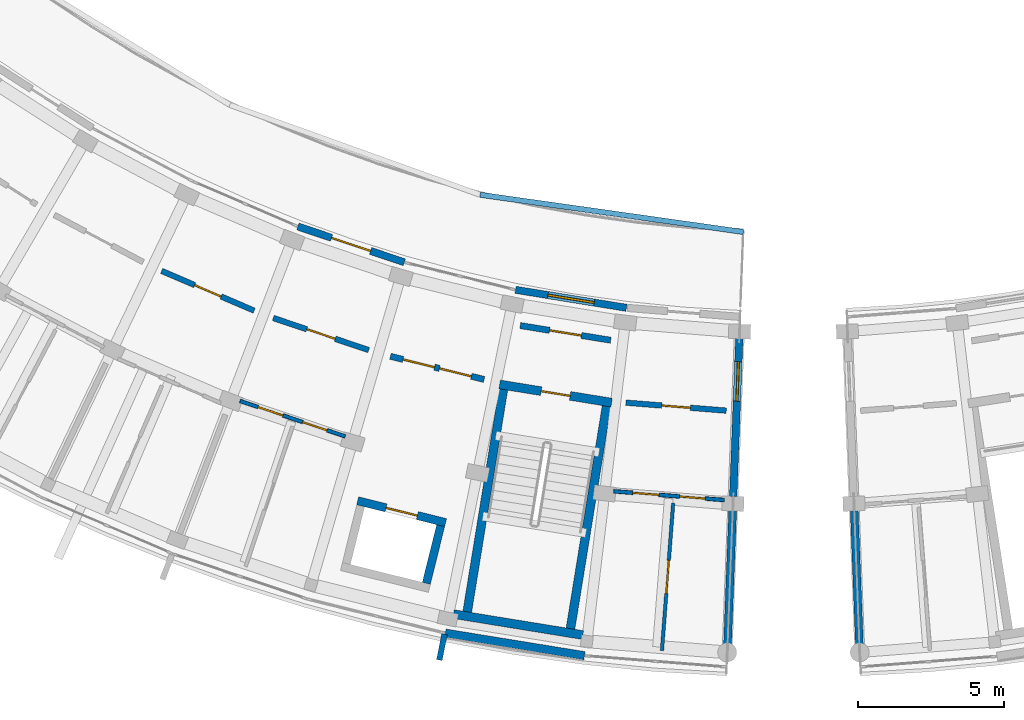
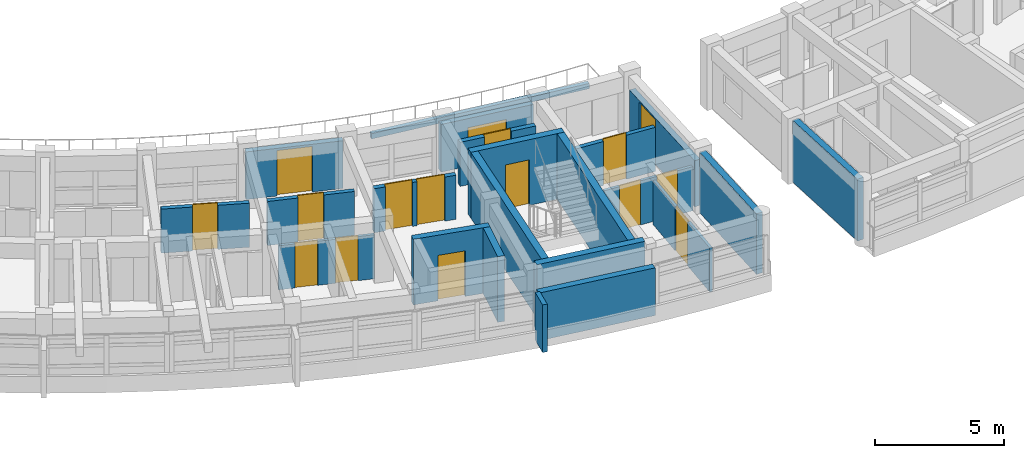
# One storey, part 34 of 54: 22 walls, 14 doors, 2 windows, 16 openings.
"""IFC4 building model written with IfcOpenShell, lengths in metres."""

from ifc_helpers import new_model, si_unit, direction, frame, frame_2d, origin, place, context, subcontext, project, spatial, rectangle, extrude, material, layer, layer_set, type_object, element, fill, save


model = new_model("IFC4")

# Units and contexts
model_context = context("Model", 3, precision=1e-05, world=origin(), true_north=direction((0.0, 1.0)))
body_context = subcontext(model_context, "Body", "Model", "MODEL_VIEW")
ifc_project = project(units=[si_unit("LENGTHUNIT", "METRE"), si_unit("AREAUNIT", "SQUARE_METRE"), si_unit("VOLUMEUNIT", "CUBIC_METRE"), si_unit("PLANEANGLEUNIT", "RADIAN"), si_unit("MASSUNIT", "GRAM", prefix="KILO")], contexts=[model_context])

# Site, building, storey
site_placement = place(None, origin())
site = spatial("IfcSite", under=ifc_project, at=site_placement, CompositionType="ELEMENT")
building_placement = place(site_placement, origin())
building = spatial("IfcBuilding", under=site, at=building_placement, Name="Zimvara Arc Housing Community", CompositionType="ELEMENT")
storey_placement = place(building_placement, frame((0.0, 0.0, 23.60009765625)))
storey = spatial("IfcBuildingStorey", under=building, at=storey_placement, Name="L07", CompositionType="ELEMENT", Elevation=23.60009765625)

# Wall, opening, window
ifc_material_1 = material(Name="Board-Marked Fair-Faced Concrete C35/45", Category="concrete")
ifc_layer_1 = layer(ifc_material_1, 0.2548828125)
ifc_layer_set_1 = layer_set([ifc_layer_1], Name="Board-Marked Fair-Faced Concrete C35/45")
wall_type_1 = type_object("IfcWallType", Name="EWL-CONC-255", PredefinedType="SOLIDWALL", material=ifc_layer_set_1)
wall_1_placement = place(storey_placement, frame((124.13134765625, 61.735595703125, 0.0), z_axis=(0.0, 0.0, 1.0), x_axis=(-0.038429649442, -0.999261308189, 0.0)))
wall_1 = element("IfcWall", 1, at=wall_1_placement, inside=storey, type_object=wall_type_1, Name="ewall:blkC:L07:gN", PredefinedType="SOLIDWALL", context=body_context, shape_type="SweptSolid", body=[
    extrude(rectangle(XDim=5.39990234375, YDim=0.2548828125, at=frame_2d((2.699951171875, 0.0))), origin(), (0.0, 0.0, 1.0), 2.179931640625),
])
opening_1_placement = place(wall_1_placement, frame((0.7900390625, 0.0, 0.75)))
opening_1 = element("IfcOpeningElement", 2, at=opening_1_placement, cuts=wall_1, Name="Opening W12", PredefinedType="OPENING", context=body_context, shape_type="SweptSolid", body=[
    extrude(rectangle(XDim=1.35009765625, YDim=1.35009765625, at=frame_2d((0.675048828125, 0.675048828125))), frame((0.0, 0.137451171875, 0.0), z_axis=(0.0, -1.0, 0.0), x_axis=(1.0, 0.0, 0.0)), (0.0, 0.0, 1.0), 0.27490234375),
])
ifc_material_2 = material(Name="Solar Control Low-E Double Glazing", Category="glass")
window_type_1 = type_object("IfcWindowType", Name="WIN-RES-1350x1350", PartitioningType="DOUBLE_PANEL_VERTICAL", PredefinedType="WINDOW", material=ifc_material_2)
window_1_placement = place(opening_1_placement, origin())
window_1 = element("IfcWindow", 3, at=window_1_placement, inside=storey, type_object=window_type_1, Name="win:blkC:L07:gN:w", OverallHeight=1.35009765625, OverallWidth=1.35009765625, PartitioningType="DOUBLE_PANEL_VERTICAL", PredefinedType="WINDOW", context=body_context, shape_type="SweptSolid", body=[
    extrude(rectangle(XDim=1.35009765625, YDim=1.35009765625, at=frame_2d((0.675048828125, 0.675048828125))), frame((0.0, 0.030029296875, 0.0), z_axis=(0.0, -1.0, 0.0), x_axis=(1.0, 0.0, 0.0)), (0.0, 0.0, 1.0), 0.06005859375),
])
fill(opening_1, window_1)

# Walls
ifc_material_3 = material(Name="Board-Marked Fair-Faced Concrete C35/45", Category="concrete")
ifc_layer_2 = layer(ifc_material_3, 0.179931640625)
ifc_layer_set_2 = layer_set([ifc_layer_2], Name="Board-Marked Fair-Faced Concrete C35/45")
wall_type_2 = type_object("IfcWallType", Name="EWL-PARA-180", PredefinedType="PARAPET", material=ifc_layer_set_2)
wall_2_placement = place(storey_placement, frame((115.28515625, 66.643798828125, 0.0), z_axis=(0.0, 0.0, 1.0), x_axis=(0.99014438888, -0.14005030942, 0.0)))
element("IfcWall", 4, at=wall_2_placement, inside=storey, type_object=wall_type_2, Name="parapet:blkC:L07:p15", PredefinedType="PARAPET", context=body_context, shape_type="SweptSolid", body=[
    extrude(rectangle(XDim=9.0751953125, YDim=0.179931640625, at=frame_2d((4.53759765625, 0.0))), origin(), (0.0, 0.0, 1.0), 0.25),
])
ifc_material_4 = material(Name="Board-Marked Fair-Faced Concrete C35/45", Category="concrete")
ifc_layer_3 = layer(ifc_material_4, 0.195068359375)
ifc_layer_set_3 = layer_set([ifc_layer_3], Name="Board-Marked Fair-Faced Concrete C35/45")
wall_type_3 = type_object("IfcWallType", Name="EWL-PARA-195", PredefinedType="PARAPET", material=ifc_layer_set_3)
wall_3_placement = place(storey_placement, frame((114.072509765625, 51.645263671875, 0.0), z_axis=(0.0, 0.0, 1.0), x_axis=(-0.200236425943, -0.979747607155, 0.0)))
element("IfcWall", 5, at=wall_3_placement, inside=storey, type_object=wall_type_3, Name="finwall:blkC:L07:out:b8", PredefinedType="PARAPET", context=body_context, shape_type="SweptSolid", body=[
    extrude(rectangle(XDim=0.89990234375, YDim=0.195068359375, at=frame_2d((0.449951171875, 0.0))), origin(), (0.0, 0.0, 1.0), 2.25),
])

# Wall, opening, door
ifc_material_5 = material(Name="Pigmented Fair-Faced Concrete C35/45", Category="concrete")
ifc_layer_4 = layer(ifc_material_5, 0.2451171875)
ifc_layer_set_4 = layer_set([ifc_layer_4], Name="Pigmented Fair-Faced Concrete C35/45")
wall_type_4 = type_object("IfcWallType", Name="EWL-PIGM-245", PredefinedType="SOLIDWALL", material=ifc_layer_set_4)
wall_4_placement = place(storey_placement, frame((109.06689453125, 65.5595703125, 0.0), z_axis=(0.0, 0.0, 1.0), x_axis=(0.947871135839, -0.318653902915, 0.0)))
wall_4 = element("IfcWall", 6, at=wall_4_placement, inside=storey, type_object=wall_type_4, Name="ewall:blkC:L07:in:b6", PredefinedType="SOLIDWALL", context=body_context, shape_type="SweptSolid", body=[
    extrude(rectangle(XDim=3.832275390625, YDim=0.2451171875, at=frame_2d((1.916015625, 0.0))), origin(), (0.0, 0.0, 1.0), 2.25),
])
opening_2_placement = place(wall_4_placement, frame((1.216064453125, 0.0, 0.0)))
opening_2 = element("IfcOpeningElement", 7, at=opening_2_placement, cuts=wall_4, Name="Opening ED07", PredefinedType="OPENING", context=body_context, shape_type="SweptSolid", body=[
    extrude(rectangle(XDim=1.39990234375, YDim=2.14990234375, at=frame_2d((0.699951171875, 1.074951171875))), frame((0.0, 0.132568359375, 0.0), z_axis=(0.0, -1.0, 0.0), x_axis=(1.0, 0.0, 0.0)), (0.0, 0.0, 1.0), 0.26513671875),
])
ifc_material_6 = material(Name="Anodised Aluminium AW-6063", Category="aluminium")
door_type_1 = type_object("IfcDoorType", Name="EDR-TERR-1400x2150", OperationType="DOUBLE_DOOR_SINGLE_SWING", PredefinedType="DOOR", material=ifc_material_6)
door_1_placement = place(opening_2_placement, origin())
door_1 = element("IfcDoor", 8, at=door_1_placement, inside=storey, type_object=door_type_1, Name="edoor:blkC:L07:terr:b6", OperationType="DOUBLE_DOOR_SINGLE_SWING", OverallHeight=2.14990234375, OverallWidth=1.39990234375, PredefinedType="DOOR", context=body_context, shape_type="SweptSolid", body=[
    extrude(rectangle(XDim=1.39990234375, YDim=2.14990234375, at=frame_2d((0.699951171875, 1.074951171875))), frame((0.0, 0.02490234375, 0.0), z_axis=(0.0, -1.0, 0.0), x_axis=(1.0, 0.0, 0.0)), (0.0, 0.0, 1.0), 0.050048828125),
])
fill(opening_2, door_1)

# Wall, opening, window
wall_5_placement = place(storey_placement, frame((116.4970703125, 63.398681640625, 0.0), z_axis=(0.0, 0.0, 1.0), x_axis=(0.987080708519, -0.160223827412, 0.0)))
wall_5 = element("IfcWall", 9, at=wall_5_placement, inside=storey, type_object=wall_type_4, Name="ewall:blkC:L07:in:b8", PredefinedType="SOLIDWALL", context=body_context, shape_type="SweptSolid", body=[
    extrude(rectangle(XDim=3.832275390625, YDim=0.2451171875, at=frame_2d((1.916015625, 0.0))), origin(), (0.0, 0.0, 1.0), 2.25),
])
opening_3_placement = place(wall_5_placement, frame((1.1162109375, 0.0, 0.320068359375)))
opening_3 = element("IfcOpeningElement", 10, at=opening_3_placement, cuts=wall_5, Name="Opening W03", PredefinedType="OPENING", context=body_context, shape_type="SweptSolid", body=[
    extrude(rectangle(XDim=1.60009765625, YDim=1.5, at=frame_2d((0.800048828125, 0.75))), frame((0.0, 0.132568359375, 0.0), z_axis=(0.0, -1.0, 0.0), x_axis=(1.0, 0.0, 0.0)), (0.0, 0.0, 1.0), 0.26513671875),
])
ifc_material_7 = material(Name="Solar Control Low-E Double Glazing", Category="glass")
window_type_2 = type_object("IfcWindowType", Name="WIN-RES-1600x1500", PartitioningType="DOUBLE_PANEL_VERTICAL", PredefinedType="WINDOW", material=ifc_material_7)
window_2_placement = place(opening_3_placement, origin())
window_2 = element("IfcWindow", 11, at=window_2_placement, inside=storey, type_object=window_type_2, Name="win:blkC:L07:in:b8", OverallHeight=1.5, OverallWidth=1.60009765625, PartitioningType="DOUBLE_PANEL_VERTICAL", PredefinedType="WINDOW", context=body_context, shape_type="SweptSolid", body=[
    extrude(rectangle(XDim=1.60009765625, YDim=1.5, at=frame_2d((0.800048828125, 0.75))), frame((0.0, 0.030029296875, 0.0), z_axis=(0.0, -1.0, 0.0), x_axis=(1.0, 0.0, 0.0)), (0.0, 0.0, 1.0), 0.06005859375),
])
fill(opening_3, window_2)

# Wall
ifc_material_8 = material(Name="Board-Marked Fair-Faced Concrete C35/45", Category="concrete")
ifc_layer_5 = layer(ifc_material_8, 0.281982421875)
ifc_layer_set_5 = layer_set([ifc_layer_5], Name="Board-Marked Fair-Faced Concrete C35/45")
wall_type_5 = type_object("IfcWallType", Name="EWL-VAR-24", PredefinedType="SOLIDWALL", material=ifc_layer_set_5)
wall_6_placement = place(storey_placement, frame((114.100341796875, 51.681396484375, 0.0), z_axis=(0.0, 0.0, 1.0), x_axis=(0.987080750493, -0.160223568819, 0.0)))
element("IfcWall", 12, at=wall_6_placement, inside=storey, type_object=wall_type_5, Name="ewall:blkC:L07:out:b8", PredefinedType="SOLIDWALL", context=body_context, shape_type="SweptSolid", body=[
    extrude(rectangle(XDim=4.808837890625, YDim=0.281982421875, at=frame_2d((2.404296875, 0.0))), origin(), (0.0, 0.0, 1.0), 2.25),
])

# Wall, openings, doors
ifc_material_9 = material(Name="Concrete C35/45", Category="concrete")
ifc_layer_6 = layer(ifc_material_9, 0.2099609375)
ifc_layer_set_6 = layer_set([ifc_layer_6], Name="Concrete C35/45")
wall_type_6 = type_object("IfcWallType", Name="IWL-CCF-210", PredefinedType="SOLIDWALL", material=ifc_layer_set_6)
wall_7_placement = place(storey_placement, frame((112.222900390625, 61.130126953125, 0.0), z_axis=(0.0, 0.0, 1.0), x_axis=(0.970719238682, -0.240216901263, 0.0)))
wall_7 = element("IfcWall", 13, at=wall_7_placement, inside=storey, type_object=wall_type_6, Name="iwall:blkC:L07:ll_div:b7", PredefinedType="SOLIDWALL", context=body_context, shape_type="SweptSolid", body=[
    extrude(rectangle(XDim=3.2958984375, YDim=0.2099609375, at=frame_2d((1.64794921875, 0.0))), origin(), (0.0, 0.0, 1.0), 2.079833984375),
])
opening_4_placement = place(wall_7_placement, frame((0.449951171875, 0.0, 0.0)))
opening_4 = element("IfcOpeningElement", 14, at=opening_4_placement, cuts=wall_7, Name="Opening FD-CCF1", PredefinedType="OPENING", context=body_context, shape_type="SweptSolid", body=[
    extrude(rectangle(XDim=1.10009765625, YDim=2.14990234375, at=frame_2d((0.550048828125, 1.074951171875))), frame((0.0, 0.114990234375, 0.0), z_axis=(0.0, -1.0, 0.0), x_axis=(1.0, 0.0, 0.0)), (0.0, 0.0, 1.0), 0.22998046875),
])
opening_5_placement = place(wall_7_placement, frame((1.72607421875, 0.0, 0.0)))
opening_5 = element("IfcOpeningElement", 15, at=opening_5_placement, cuts=wall_7, Name="Opening D07", PredefinedType="OPENING", context=body_context, shape_type="SweptSolid", body=[
    extrude(rectangle(XDim=1.1201171875, YDim=2.14990234375, at=frame_2d((0.56005859375, 1.074951171875))), frame((0.0, 0.114990234375, 0.0), z_axis=(0.0, -1.0, 0.0), x_axis=(1.0, 0.0, 0.0)), (0.0, 0.0, 1.0), 0.22998046875),
])
ifc_material_10 = material(Name="Mozambican Hardwood", Category="wood")
door_type_2 = type_object("IfcDoorType", Name="IDR-AMN-1120x2150", OperationType="NOTDEFINED", PredefinedType="DOOR", material=ifc_material_10)
door_2_placement = place(opening_5_placement, origin())
door_2 = element("IfcDoor", 16, at=door_2_placement, inside=storey, type_object=door_type_2, Name="idoor:blkC:L07:rs_in:b7", OperationType="SINGLE_SWING_LEFT", OverallHeight=2.14990234375, OverallWidth=1.1201171875, PredefinedType="DOOR", context=body_context, shape_type="SweptSolid", body=[
    extrude(rectangle(XDim=1.1201171875, YDim=2.14990234375, at=frame_2d((0.56005859375, 1.074951171875))), frame((0.0, 0.02490234375, 0.0), z_axis=(0.0, -1.0, 0.0), x_axis=(1.0, 0.0, 0.0)), (0.0, 0.0, 1.0), 0.050048828125),
])
fill(opening_5, door_2)
ifc_material_11 = material(Name="Anodised Aluminium AW-6063", Category="aluminium")
door_type_3 = type_object("IfcDoorType", Name="IDR-CCF-1100x2150", OperationType="NOTDEFINED", PredefinedType="DOOR", material=ifc_material_11)
door_3_placement = place(opening_4_placement, origin())
door_3 = element("IfcDoor", 17, at=door_3_placement, inside=storey, type_object=door_type_3, Name="idoor:blkC:L07:ll_in:b7", OperationType="SINGLE_SWING_RIGHT", OverallHeight=2.14990234375, OverallWidth=1.10009765625, PredefinedType="DOOR", context=body_context, shape_type="SweptSolid", body=[
    extrude(rectangle(XDim=1.10009765625, YDim=2.14990234375, at=frame_2d((0.550048828125, 1.074951171875))), frame((0.0, 0.02490234375, 0.0), z_axis=(0.0, -1.0, 0.0), x_axis=(1.0, 0.0, 0.0)), (0.0, 0.0, 1.0), 0.050048828125),
])
fill(opening_4, door_3)

# Wall, opening, door
wall_8_placement = place(storey_placement, frame((116.655517578125, 62.178466796875, 0.0), z_axis=(0.0, 0.0, 1.0), x_axis=(0.987083140276, -0.16020884552, 0.0)))
wall_8 = element("IfcWall", 18, at=wall_8_placement, inside=storey, type_object=wall_type_6, Name="iwall:blkC:L07:ccf_div:b8", PredefinedType="SOLIDWALL", context=body_context, shape_type="SweptSolid", body=[
    extrude(rectangle(XDim=3.128662109375, YDim=0.2099609375, at=frame_2d((1.564453125, 0.0))), origin(), (0.0, 0.0, 1.0), 2.079833984375),
])
opening_6_placement = place(wall_8_placement, frame((1.014404296875, 0.0, 0.0)))
opening_6 = element("IfcOpeningElement", 19, at=opening_6_placement, cuts=wall_8, Name="Opening FD-CCF1", PredefinedType="OPENING", context=body_context, shape_type="SweptSolid", body=[
    extrude(rectangle(XDim=1.10009765625, YDim=2.14990234375, at=frame_2d((0.550048828125, 1.074951171875))), frame((0.0, 0.114990234375, 0.0), z_axis=(0.0, -1.0, 0.0), x_axis=(1.0, 0.0, 0.0)), (0.0, 0.0, 1.0), 0.22998046875),
])
door_4_placement = place(opening_6_placement, origin())
door_4 = element("IfcDoor", 20, at=door_4_placement, inside=storey, type_object=door_type_3, Name="idoor:blkC:L07:ccf_in:b8", OperationType="SINGLE_SWING_RIGHT", OverallHeight=2.14990234375, OverallWidth=1.10009765625, PredefinedType="DOOR", context=body_context, shape_type="SweptSolid", body=[
    extrude(rectangle(XDim=1.10009765625, YDim=2.14990234375, at=frame_2d((0.550048828125, 1.074951171875))), frame((0.0, 0.02490234375, 0.0), z_axis=(0.0, -1.0, 0.0), x_axis=(1.0, 0.0, 0.0)), (0.0, 0.0, 1.0), 0.050048828125),
])
fill(opening_6, door_4)

ifc_material_12 = material(Name="Concrete C35/45", Category="concrete")
ifc_layer_7 = layer(ifc_material_12, 0.18994140625)
ifc_layer_set_7 = layer_set([ifc_layer_7], Name="Concrete C35/45")
wall_type_7 = type_object("IfcWallType", Name="IWL-CORR-190", PredefinedType="SOLIDWALL", material=ifc_layer_set_7)
wall_9_placement = place(storey_placement, frame((104.41650390625, 64.0439453125, 0.0), z_axis=(0.0, 0.0, 1.0), x_axis=(0.918718172399, -0.394913813008, 0.0)))
wall_9 = element("IfcWall", 21, at=wall_9_placement, inside=storey, type_object=wall_type_7, Name="iwall:blkC:L07:corr_out:b5", PredefinedType="SOLIDWALL", context=body_context, shape_type="SweptSolid", body=[
    extrude(rectangle(XDim=3.43603515625, YDim=0.18994140625, at=frame_2d((1.718017578125, 0.0))), origin(), (0.0, 0.0, 1.0), 2.079833984375),
])
opening_7_placement = place(wall_9_placement, frame((1.22802734375, 0.0, 0.0)))
opening_7 = element("IfcOpeningElement", 22, at=opening_7_placement, cuts=wall_9, Name="Opening FD-FL1", PredefinedType="OPENING", context=body_context, shape_type="SweptSolid", body=[
    extrude(rectangle(XDim=0.97998046875, YDim=2.14990234375, at=frame_2d((0.489990234375, 1.074951171875))), frame((0.0, 0.10498046875, 0.0), z_axis=(0.0, -1.0, 0.0), x_axis=(1.0, 0.0, 0.0)), (0.0, 0.0, 1.0), 0.2099609375),
])
ifc_material_13 = material(Name="Mozambican Hardwood", Category="wood")
door_type_4 = type_object("IfcDoorType", Name="IDR-FLAT-0980x2150", OperationType="NOTDEFINED", PredefinedType="DOOR", material=ifc_material_13)
door_5_placement = place(opening_7_placement, origin())
door_5 = element("IfcDoor", 23, at=door_5_placement, inside=storey, type_object=door_type_4, Name="idoor:blkC:L07:flat:b5", OperationType="SINGLE_SWING_RIGHT", OverallHeight=2.14990234375, OverallWidth=0.97998046875, PredefinedType="DOOR", context=body_context, shape_type="SweptSolid", body=[
    extrude(rectangle(XDim=0.97998046875, YDim=2.14990234375, at=frame_2d((0.489990234375, 1.074951171875))), frame((0.0, 0.02490234375, 0.0), z_axis=(0.0, -1.0, 0.0), x_axis=(1.0, 0.0, 0.0)), (0.0, 0.0, 1.0), 0.050048828125),
])
fill(opening_7, door_5)

wall_10_placement = place(storey_placement, frame((108.2265625, 62.437255859375, 0.0), z_axis=(0.0, 0.0, 1.0), x_axis=(0.947884468821, -0.318614239745, 0.0)))
wall_10 = element("IfcWall", 24, at=wall_10_placement, inside=storey, type_object=wall_type_7, Name="iwall:blkC:L07:corr_out:b6", PredefinedType="SOLIDWALL", context=body_context, shape_type="SweptSolid", body=[
    extrude(rectangle(XDim=3.435791015625, YDim=0.18994140625, at=frame_2d((1.7177734375, 0.0))), origin(), (0.0, 0.0, 1.0), 2.079833984375),
])
opening_8_placement = place(wall_10_placement, frame((1.2080078125, 0.0, 0.0)))
opening_8 = element("IfcOpeningElement", 25, at=opening_8_placement, cuts=wall_10, Name="Opening FD-FL2", PredefinedType="OPENING", context=body_context, shape_type="SweptSolid", body=[
    extrude(rectangle(XDim=1.02001953125, YDim=2.14990234375, at=frame_2d((0.510009765625, 1.074951171875))), frame((0.0, 0.10498046875, 0.0), z_axis=(0.0, -1.0, 0.0), x_axis=(1.0, 0.0, 0.0)), (0.0, 0.0, 1.0), 0.2099609375),
])
ifc_material_14 = material(Name="Mozambican Hardwood", Category="wood")
door_type_5 = type_object("IfcDoorType", Name="IDR-FLAT-1020x2150", OperationType="NOTDEFINED", PredefinedType="DOOR", material=ifc_material_14)
door_6_placement = place(opening_8_placement, origin())
door_6 = element("IfcDoor", 26, at=door_6_placement, inside=storey, type_object=door_type_5, Name="idoor:blkC:L07:flat:b6", OperationType="SINGLE_SWING_RIGHT", OverallHeight=2.14990234375, OverallWidth=1.02001953125, PredefinedType="DOOR", context=body_context, shape_type="SweptSolid", body=[
    extrude(rectangle(XDim=1.02001953125, YDim=2.14990234375, at=frame_2d((0.510009765625, 1.074951171875))), frame((0.0, 0.02490234375, 0.0), z_axis=(0.0, -1.0, 0.0), x_axis=(1.0, 0.0, 0.0)), (0.0, 0.0, 1.0), 0.050048828125),
])
fill(opening_8, door_6)

wall_11_placement = place(storey_placement, frame((120.261474609375, 59.547119140625, 0.0), z_axis=(0.0, 0.0, 1.0), x_axis=(0.996862545573, -0.079152165058, 0.0)))
wall_11 = element("IfcWall", 27, at=wall_11_placement, inside=storey, type_object=wall_type_7, Name="iwall:blkC:L07:corr_out:b9", PredefinedType="SOLIDWALL", context=body_context, shape_type="SweptSolid", body=[
    extrude(rectangle(XDim=3.43603515625, YDim=0.18994140625, at=frame_2d((1.718017578125, 0.0))), origin(), (0.0, 0.0, 1.0), 2.079833984375),
])
opening_9_placement = place(wall_11_placement, frame((1.22802734375, 0.0, 0.0)))
opening_9 = element("IfcOpeningElement", 28, at=opening_9_placement, cuts=wall_11, Name="Opening FD-FL1", PredefinedType="OPENING", context=body_context, shape_type="SweptSolid", body=[
    extrude(rectangle(XDim=0.97998046875, YDim=2.14990234375, at=frame_2d((0.489990234375, 1.074951171875))), frame((0.0, 0.10498046875, 0.0), z_axis=(0.0, -1.0, 0.0), x_axis=(1.0, 0.0, 0.0)), (0.0, 0.0, 1.0), 0.2099609375),
])
door_7_placement = place(opening_9_placement, origin())
door_7 = element("IfcDoor", 29, at=door_7_placement, inside=storey, type_object=door_type_4, Name="idoor:blkC:L07:flat:b9", OperationType="SINGLE_SWING_LEFT", OverallHeight=2.14990234375, OverallWidth=0.97998046875, PredefinedType="DOOR", context=body_context, shape_type="SweptSolid", body=[
    extrude(rectangle(XDim=0.97998046875, YDim=2.14990234375, at=frame_2d((0.489990234375, 1.074951171875))), frame((0.0, 0.02490234375, 0.0), z_axis=(0.0, -1.0, 0.0), x_axis=(1.0, 0.0, 0.0)), (0.0, 0.0, 1.0), 0.050048828125),
])
fill(opening_9, door_7)

# Wall, openings, doors
ifc_material_15 = material(Name="Painted Acoustic Plasterboard")
ifc_layer_8 = layer(ifc_material_15, 0.1201171875)
ifc_layer_set_8 = layer_set([ifc_layer_8], Name="Painted Acoustic Plasterboard")
wall_type_8 = type_object("IfcWallType", Name="IWL-PART-120", PredefinedType="PARTITIONING", material=ifc_layer_set_8)
wall_12_placement = place(storey_placement, frame((107.090087890625, 59.604248046875, 0.0), z_axis=(0.0, 0.0, 1.0), x_axis=(0.947873924847, -0.318645606584, 0.0)))
wall_12 = element("IfcWall", 30, at=wall_12_placement, inside=storey, type_object=wall_type_8, Name="iwall:blkC:L07:srv:b6", PredefinedType="PARTITIONING", context=body_context, shape_type="SweptSolid", body=[
    extrude(rectangle(XDim=3.784912109375, YDim=0.1201171875, at=frame_2d((1.892578125, 0.0))), origin(), (0.0, 0.0, 1.0), 2.079833984375),
])
opening_10_placement = place(wall_12_placement, frame((0.64990234375, 0.0, 0.0)))
opening_10 = element("IfcOpeningElement", 31, at=opening_10_placement, cuts=wall_12, Name="Opening D01", PredefinedType="OPENING", context=body_context, shape_type="SweptSolid", body=[
    extrude(rectangle(XDim=0.89990234375, YDim=2.10009765625, at=frame_2d((0.449951171875, 1.050048828125))), frame((0.0, 0.070068359375, 0.0), z_axis=(0.0, -1.0, 0.0), x_axis=(1.0, 0.0, 0.0)), (0.0, 0.0, 1.0), 0.14013671875),
])
opening_11_placement = place(wall_12_placement, frame((2.255126953125, 0.0, 0.0)))
opening_11 = element("IfcOpeningElement", 32, at=opening_11_placement, cuts=wall_12, Name="Opening D05", PredefinedType="OPENING", context=body_context, shape_type="SweptSolid", body=[
    extrude(rectangle(XDim=0.8798828125, YDim=2.10009765625, at=frame_2d((0.43994140625, 1.050048828125))), frame((0.0, 0.070068359375, 0.0), z_axis=(0.0, -1.0, 0.0), x_axis=(1.0, 0.0, 0.0)), (0.0, 0.0, 1.0), 0.14013671875),
])
ifc_material_16 = material(Name="Mozambican Hardwood", Category="wood")
door_type_6 = type_object("IfcDoorType", Name="IDR-RM-0900x2100", OperationType="NOTDEFINED", PredefinedType="DOOR", material=ifc_material_16)
door_8_placement = place(opening_10_placement, origin())
door_8 = element("IfcDoor", 33, at=door_8_placement, inside=storey, type_object=door_type_6, Name="idoor:blkC:L07:kit_liv:b6", OperationType="SINGLE_SWING_LEFT", OverallHeight=2.10009765625, OverallWidth=0.89990234375, PredefinedType="DOOR", context=body_context, shape_type="SweptSolid", body=[
    extrude(rectangle(XDim=0.89990234375, YDim=2.10009765625, at=frame_2d((0.449951171875, 1.050048828125))), frame((0.0, 0.02490234375, 0.0), z_axis=(0.0, -1.0, 0.0), x_axis=(1.0, 0.0, 0.0)), (0.0, 0.0, 1.0), 0.050048828125),
])
fill(opening_10, door_8)
ifc_material_17 = material(Name="Mozambican Hardwood", Category="wood")
door_type_7 = type_object("IfcDoorType", Name="IDR-WC-0880x2100", OperationType="NOTDEFINED", PredefinedType="DOOR", material=ifc_material_17)
door_9_placement = place(opening_11_placement, origin())
door_9 = element("IfcDoor", 34, at=door_9_placement, inside=storey, type_object=door_type_7, Name="idoor:blkC:L07:bath_d:b6", OperationType="SINGLE_SWING_RIGHT", OverallHeight=2.10009765625, OverallWidth=0.8798828125, PredefinedType="DOOR", context=body_context, shape_type="SweptSolid", body=[
    extrude(rectangle(XDim=0.8798828125, YDim=2.10009765625, at=frame_2d((0.43994140625, 1.050048828125))), frame((0.0, 0.02490234375, 0.0), z_axis=(0.0, -1.0, 0.0), x_axis=(1.0, 0.0, 0.0)), (0.0, 0.0, 1.0), 0.050048828125),
])
fill(opening_11, door_9)

# Wall, opening, door
wall_13_placement = place(storey_placement, frame((121.87548828125, 56.116455078125, 0.0), z_axis=(0.0, 0.0, 1.0), x_axis=(-0.076141951799, -0.997096987848, 0.0)))
wall_13 = element("IfcWall", 35, at=wall_13_placement, inside=storey, type_object=wall_type_8, Name="iwall:blkC:L07:bed_div:b9", PredefinedType="PARTITIONING", context=body_context, shape_type="SweptSolid", body=[
    extrude(rectangle(XDim=5.050048828125, YDim=0.1201171875, at=frame_2d((2.52490234375, 0.0))), origin(), (0.0, 0.0, 1.0), 2.079833984375),
])
opening_12_placement = place(wall_13_placement, frame((1.9599609375, 0.0, 0.0)))
opening_12 = element("IfcOpeningElement", 36, at=opening_12_placement, cuts=wall_13, Name="Opening D17", PredefinedType="OPENING", context=body_context, shape_type="SweptSolid", body=[
    extrude(rectangle(XDim=1.1298828125, YDim=2.10009765625, at=frame_2d((0.56494140625, 1.050048828125))), frame((0.0, 0.070068359375, 0.0), z_axis=(0.0, -1.0, 0.0), x_axis=(1.0, 0.0, 0.0)), (0.0, 0.0, 1.0), 0.14013671875),
])
ifc_material_18 = material(Name="Mozambican Hardwood", Category="wood")
door_type_8 = type_object("IfcDoorType", Name="IDR-MOD-1130x2240", OperationType="NOTDEFINED", PredefinedType="DOOR", material=ifc_material_18)
door_10_placement = place(opening_12_placement, origin())
door_10 = element("IfcDoor", 37, at=door_10_placement, inside=storey, type_object=door_type_8, Name="idoor:blkC:L07:bed_d:b9", OperationType="SINGLE_SWING_RIGHT", OverallHeight=2.10009765625, OverallWidth=1.1298828125, PredefinedType="DOOR", context=body_context, shape_type="SweptSolid", body=[
    extrude(rectangle(XDim=1.1298828125, YDim=2.10009765625, at=frame_2d((0.56494140625, 1.050048828125))), frame((0.0, 0.02490234375, 0.0), z_axis=(0.0, -1.0, 0.0), x_axis=(1.0, 0.0, 0.0)), (0.0, 0.0, 1.0), 0.050048828125),
])
fill(opening_12, door_10)

# Wall, openings, doors
ifc_material_19 = material(Name="Painted Acoustic Plasterboard")
ifc_layer_9 = layer(ifc_material_19, 0.125)
ifc_layer_set_9 = layer_set([ifc_layer_9], Name="Painted Acoustic Plasterboard")
wall_type_9 = type_object("IfcWallType", Name="IWL-PART-125", PredefinedType="PARTITIONING", material=ifc_layer_set_9)
wall_14_placement = place(storey_placement, frame((119.846435546875, 56.52294921875, 0.0), z_axis=(0.0, 0.0, 1.0), x_axis=(0.996863292793, -0.079142753818, 0.0)))
wall_14 = element("IfcWall", 38, at=wall_14_placement, inside=storey, type_object=wall_type_9, Name="iwall:blkC:L07:srv:b9", PredefinedType="PARTITIONING", context=body_context, shape_type="SweptSolid", body=[
    extrude(rectangle(XDim=3.78515625, YDim=0.125, at=frame_2d((1.892578125, 0.0))), origin(), (0.0, 0.0, 1.0), 2.079833984375),
])
opening_13_placement = place(wall_14_placement, frame((0.64990234375, 0.0, 0.0)))
opening_13 = element("IfcOpeningElement", 39, at=opening_13_placement, cuts=wall_14, Name="Opening D01", PredefinedType="OPENING", context=body_context, shape_type="SweptSolid", body=[
    extrude(rectangle(XDim=0.89990234375, YDim=2.10009765625, at=frame_2d((0.449951171875, 1.050048828125))), frame((0.0, 0.072509765625, 0.0), z_axis=(0.0, -1.0, 0.0), x_axis=(1.0, 0.0, 0.0)), (0.0, 0.0, 1.0), 0.14501953125),
])
opening_14_placement = place(wall_14_placement, frame((2.255126953125, 0.0, 0.0)))
opening_14 = element("IfcOpeningElement", 40, at=opening_14_placement, cuts=wall_14, Name="Opening D05", PredefinedType="OPENING", context=body_context, shape_type="SweptSolid", body=[
    extrude(rectangle(XDim=0.8798828125, YDim=2.10009765625, at=frame_2d((0.43994140625, 1.050048828125))), frame((0.0, 0.072509765625, 0.0), z_axis=(0.0, -1.0, 0.0), x_axis=(1.0, 0.0, 0.0)), (0.0, 0.0, 1.0), 0.14501953125),
])
door_11_placement = place(opening_13_placement, origin())
door_11 = element("IfcDoor", 41, at=door_11_placement, inside=storey, type_object=door_type_6, Name="idoor:blkC:L07:kit_liv:b9", OperationType="SINGLE_SWING_RIGHT", OverallHeight=2.10009765625, OverallWidth=0.89990234375, PredefinedType="DOOR", context=body_context, shape_type="SweptSolid", body=[
    extrude(rectangle(XDim=0.89990234375, YDim=2.10009765625, at=frame_2d((0.449951171875, 1.050048828125))), frame((0.0, 0.02490234375, 0.0), z_axis=(0.0, -1.0, 0.0), x_axis=(1.0, 0.0, 0.0)), (0.0, 0.0, 1.0), 0.050048828125),
])
fill(opening_13, door_11)
door_12_placement = place(opening_14_placement, origin())
door_12 = element("IfcDoor", 42, at=door_12_placement, inside=storey, type_object=door_type_7, Name="idoor:blkC:L07:bath_d:b9", OperationType="SINGLE_SWING_LEFT", OverallHeight=2.10009765625, OverallWidth=0.8798828125, PredefinedType="DOOR", context=body_context, shape_type="SweptSolid", body=[
    extrude(rectangle(XDim=0.8798828125, YDim=2.10009765625, at=frame_2d((0.43994140625, 1.050048828125))), frame((0.0, 0.02490234375, 0.0), z_axis=(0.0, -1.0, 0.0), x_axis=(1.0, 0.0, 0.0)), (0.0, 0.0, 1.0), 0.050048828125),
])
fill(opening_14, door_12)

# Wall, opening, door
ifc_material_20 = material(Name="Concrete C40/50", Category="concrete")
ifc_layer_10 = layer(ifc_material_20, 0.280029296875)
ifc_layer_set_10 = layer_set([ifc_layer_10], Name="Concrete C40/50")
wall_type_10 = type_object("IfcWallType", Name="WL-CORE-280", PredefinedType="SHEAR", material=ifc_layer_set_10)
wall_15_placement = place(storey_placement, frame((111.10791015625, 56.1962890625, 0.0), z_axis=(0.0, 0.0, 1.0), x_axis=(0.970706856107, -0.240266933861, 0.0)))
wall_15 = element("IfcWall", 43, at=wall_15_placement, inside=storey, type_object=wall_type_10, Name="lwall:LP-C2:L07:front", PredefinedType="SHEAR", context=body_context, shape_type="SweptSolid", body=[
    extrude(rectangle(XDim=3.090087890625, YDim=0.280029296875, at=frame_2d((1.544921875, 0.0))), origin(), (0.0, 0.0, 1.0), 3.099853515625),
])
opening_15_placement = place(wall_15_placement, frame((0.9951171875, 0.0, 0.0)))
opening_15 = element("IfcOpeningElement", 44, at=opening_15_placement, cuts=wall_15, Name="Opening LD-LP-C2", PredefinedType="OPENING", context=body_context, shape_type="SweptSolid", body=[
    extrude(rectangle(XDim=1.10009765625, YDim=2.14990234375, at=frame_2d((0.550048828125, 1.074951171875))), frame((0.0, 0.14990234375, 0.0), z_axis=(0.0, -1.0, 0.0), x_axis=(1.0, 0.0, 0.0)), (0.0, 0.0, 1.0), 0.300048828125),
])
ifc_material_21 = material(Name="Anodised Aluminium AW-6063", Category="aluminium")
door_type_9 = type_object("IfcDoorType", Name="IDR-LD-1100x2150", OperationType="DOUBLE_DOOR_SLIDING", PredefinedType="DOOR", material=ifc_material_21)
door_13_placement = place(opening_15_placement, origin())
door_13 = element("IfcDoor", 45, at=door_13_placement, inside=storey, type_object=door_type_9, Name="Lift LP-C2 Sliding Landing Door L07", OperationType="DOUBLE_DOOR_SLIDING", OverallHeight=2.14990234375, OverallWidth=1.10009765625, PredefinedType="DOOR", context=body_context, shape_type="SweptSolid", body=[
    extrude(rectangle(XDim=1.10009765625, YDim=2.14990234375, at=frame_2d((0.550048828125, 1.074951171875))), frame((0.0, 0.02490234375, 0.0), z_axis=(0.0, -1.0, 0.0), x_axis=(1.0, 0.0, 0.0)), (0.0, 0.0, 1.0), 0.050048828125),
])
fill(opening_15, door_13)

# Wall
wall_16_placement = place(storey_placement, frame((113.93798828125, 55.3515625, 0.0), z_axis=(0.0, 0.0, 1.0), x_axis=(-0.2402993748, -0.970698825832, 0.0)))
element("IfcWall", 46, at=wall_16_placement, inside=storey, type_object=wall_type_10, Name="lwall:LP-C2:L07:right", PredefinedType="SHEAR", context=body_context, shape_type="SweptSolid", body=[
    extrude(rectangle(XDim=2.030029296875, YDim=0.280029296875, at=frame_2d((1.01513671875, 0.0))), origin(), (0.0, 0.0, 1.0), 3.099853515625),
])

# Wall, opening, door
ifc_material_22 = material(Name="Concrete C40/50", Category="concrete")
ifc_layer_11 = layer(ifc_material_22, 0.300048828125)
ifc_layer_set_11 = layer_set([ifc_layer_11], Name="Concrete C40/50")
wall_type_11 = type_object("IfcWallType", Name="WL-CORE-300", PredefinedType="SHEAR", material=ifc_layer_set_11)
wall_17_placement = place(storey_placement, frame((115.953857421875, 60.16943359375, 0.0), z_axis=(0.0, 0.0, 1.0), x_axis=(0.987077443397, -0.160243941341, 0.0)))
wall_17 = element("IfcWall", 47, at=wall_17_placement, inside=storey, type_object=wall_type_11, Name="cwall:ST-C2:L07:near", PredefinedType="SHEAR", context=body_context, shape_type="SweptSolid", body=[
    extrude(rectangle(XDim=3.869873046875, YDim=0.300048828125, at=frame_2d((1.93505859375, 0.0))), origin(), (0.0, 0.0, 1.0), 3.099853515625),
])
opening_16_placement = place(wall_17_placement, frame((1.43505859375, 0.0, 0.0)))
opening_16 = element("IfcOpeningElement", 48, at=opening_16_placement, cuts=wall_17, Name="Opening FD-ST1", PredefinedType="OPENING", context=body_context, shape_type="SweptSolid", body=[
    extrude(rectangle(XDim=1.0, YDim=2.14990234375, at=frame_2d((0.5, 1.074951171875))), frame((0.0, 0.159912109375, 0.0), z_axis=(0.0, -1.0, 0.0), x_axis=(1.0, 0.0, 0.0)), (0.0, 0.0, 1.0), 0.320068359375),
])
ifc_material_23 = material(Name="Anodised Aluminium AW-6063", Category="aluminium")
door_type_10 = type_object("IfcDoorType", Name="IDR-ST-1000x2150", OperationType="NOTDEFINED", PredefinedType="DOOR", material=ifc_material_23)
door_14_placement = place(opening_16_placement, origin())
door_14 = element("IfcDoor", 49, at=door_14_placement, inside=storey, type_object=door_type_10, Name="idoor:ST-C2:L07:entry", OperationType="SINGLE_SWING_LEFT", OverallHeight=2.14990234375, OverallWidth=1.0, PredefinedType="DOOR", context=body_context, shape_type="SweptSolid", body=[
    extrude(rectangle(XDim=1.0, YDim=2.14990234375, at=frame_2d((0.5, 1.074951171875))), frame((0.0, 0.02490234375, 0.0), z_axis=(0.0, -1.0, 0.0), x_axis=(1.0, 0.0, 0.0)), (0.0, 0.0, 1.0), 0.050048828125),
])
fill(opening_16, door_14)

# Walls
wall_18_placement = place(storey_placement, frame((114.37744140625, 52.330810546875, 0.0), z_axis=(0.0, 0.0, 1.0), x_axis=(0.987077474317, -0.16024375088, 0.0)))
element("IfcWall", 50, at=wall_18_placement, inside=storey, type_object=wall_type_11, Name="cwall:ST-C2:L07:far", PredefinedType="SHEAR", context=body_context, shape_type="SweptSolid", body=[
    extrude(rectangle(XDim=4.47021484375, YDim=0.300048828125, at=frame_2d((2.235107421875, 0.0))), origin(), (0.0, 0.0, 1.0), 3.099853515625),
])
for number, where, z_axis, x_axis, name in (
    (51, (116.077880859375, 59.997314453125, 0.0), (0.0, 0.0, 1.0), (-0.160232517967, -0.987079297821, 0.0), "cwall:ST-C2:L07:left"),
    (52, (119.6015625, 59.42529296875, 0.0), (0.0, 0.0, 1.0), (-0.160201584773, -0.987084318706, 0.0), "cwall:ST-C2:L07:right"),
):
    element("IfcWall", number, at=place(storey_placement, frame(where, z_axis=z_axis, x_axis=x_axis)), inside=storey, type_object=wall_type_11, Name=name, PredefinedType="SHEAR", context=body_context, shape_type="SweptSolid", body=[
        extrude(rectangle(XDim=7.68994140625, YDim=0.300048828125, at=frame_2d((3.844970703125, 0.0))), origin(), (0.0, 0.0, 1.0), 3.099853515625),
    ])
ifc_material_24 = material(Name="Concrete C40/50", Category="concrete")
ifc_layer_12 = layer(ifc_material_24, 0.27001953125)
ifc_layer_set_12 = layer_set([ifc_layer_12], Name="Concrete C40/50")
wall_type_12 = type_object("IfcWallType", Name="WL-SHEAR-270", PredefinedType="SHEAR", material=ifc_layer_set_12)
wall_19_placement = place(storey_placement, frame((123.90771484375, 55.919677734375, 0.0), z_axis=(0.0, 0.0, 1.0), x_axis=(-0.038381471406, -0.99926315986, 0.0)))
element("IfcWall", 53, at=wall_19_placement, inside=storey, type_object=wall_type_12, Name="swall:blkC:L07:east", PredefinedType="SHEAR", context=body_context, shape_type="SweptSolid", body=[
    extrude(rectangle(XDim=4.7197265625, YDim=0.27001953125, at=frame_2d((2.35986328125, 0.0))), origin(), (0.0, 0.0, 1.0), 2.85986328125),
])
wall_20_placement = place(storey_placement, frame((128.05224609375, 55.919677734375, 0.0), z_axis=(0.0, 0.0, 1.0), x_axis=(0.038381471406, -0.99926315986, 0.0)))
element("IfcWall", 54, at=wall_20_placement, inside=storey, type_object=wall_type_12, Name="swall:blkD:L07:west", PredefinedType="SHEAR", context=body_context, shape_type="SweptSolid", body=[
    extrude(rectangle(XDim=4.7197265625, YDim=0.27001953125, at=frame_2d((2.35986328125, 0.0))), origin(), (0.0, 0.0, 1.0), 2.919921875),
])

save(model, "model.ifc")
